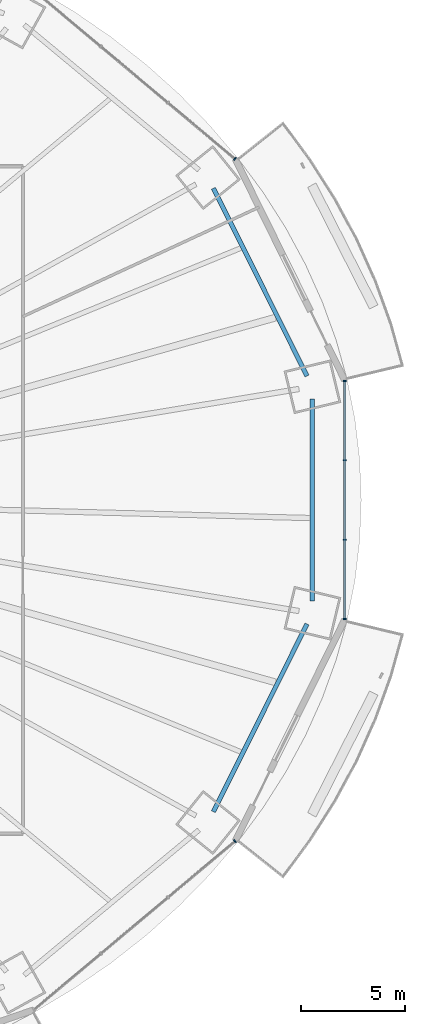
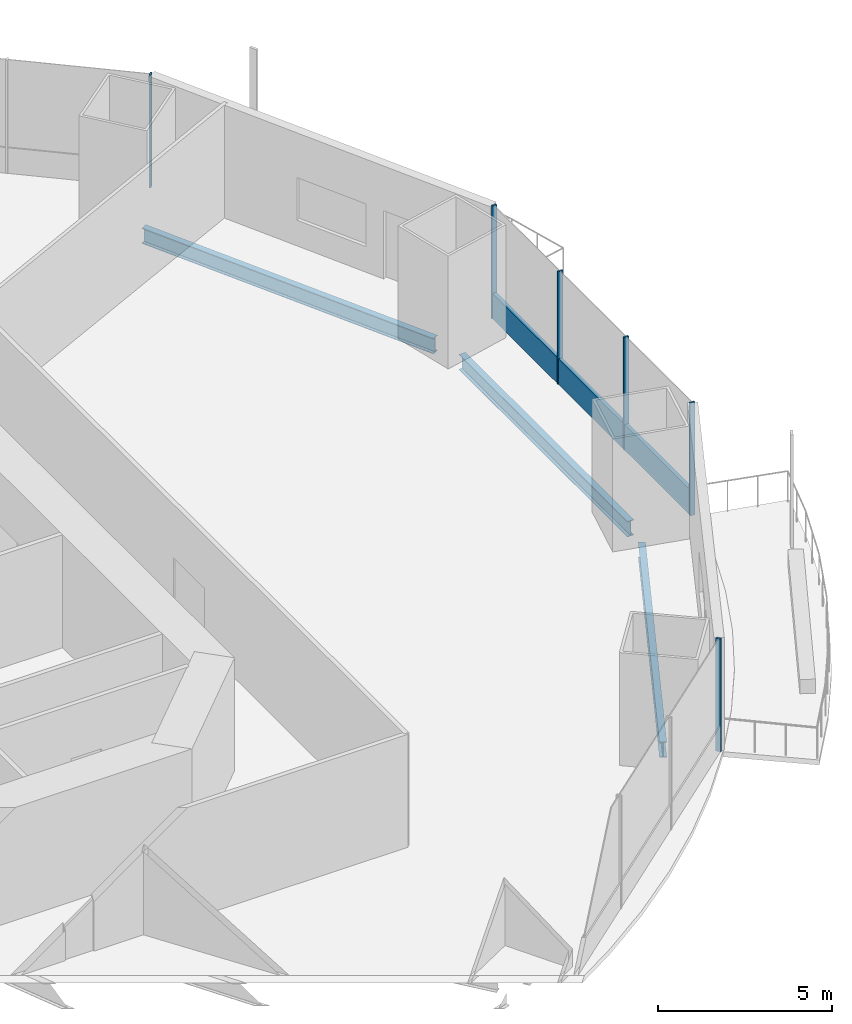
# One storey, part 11 of 22: 7 members, 3 beams, 3 elements without a shape of their own.
"""IFC4 building model written with IfcOpenShell, lengths in metres."""

from ifc_helpers import new_model, si_unit, direction, frame, origin, origin_2d, place, context, subcontext, project, spatial, rectangle, i_section, extrude, material, material_profile, profile_set, type_object, element, aggregate, save


model = new_model("IFC4")

# Units and contexts
model_context = context("Model", 3, precision=1e-05, world=origin(), true_north=direction((0.0, 1.0)))
body_context = subcontext(model_context, "Body", "Model", "MODEL_VIEW")
ifc_project = project(units=[si_unit("LENGTHUNIT", "METRE"), si_unit("AREAUNIT", "SQUARE_METRE"), si_unit("VOLUMEUNIT", "CUBIC_METRE"), si_unit("PLANEANGLEUNIT", "RADIAN"), si_unit("MASSUNIT", "GRAM", prefix="KILO")], contexts=[model_context])

# Site, building, storey
site_placement = place(None, origin())
site = spatial("IfcSite", under=ifc_project, at=site_placement, CompositionType="ELEMENT")
building_placement = place(site_placement, origin())
building = spatial("IfcBuilding", under=site, at=building_placement, Name="Marenthal Gate Tower", CompositionType="ELEMENT")
storey_placement = place(building_placement, frame((0.0, 0.0, 91.10009765625)))
storey = spatial("IfcBuildingStorey", under=building, at=storey_placement, Name="L18", CompositionType="ELEMENT", Elevation=91.10009765625)

# Curtain wall, member
ifc_material_1 = material(Name="Aluminium and glass", Category="aluminium")
curtain_wall_type = type_object("IfcCurtainWallType", Name="Curtain wall typical low", PredefinedType="NOTDEFINED", material=ifc_material_1)
curtain_wall_1_placement = place(storey_placement, origin())
curtain_wall_1 = element("IfcCurtainWall", 1, at=curtain_wall_1_placement, inside=storey, type_object=curtain_wall_type, Name="Curtain wall L18 bay 2", PredefinedType="NOTDEFINED")
ifc_material_2 = material(Name="Aluminium", Category="aluminium")
ifc_material_profile_1 = material_profile(ifc_material_2, rectangle(XDim=0.159912109375, YDim=0.06005859375, at=origin_2d()), Name="60x160 aluminium mullion")
ifc_profile_set_1 = profile_set([ifc_material_profile_1], Name="Aluminium")
member_type_1 = type_object("IfcMemberType", Name="Mullion 60x160 typical low", PredefinedType="MULLION", material=ifc_profile_set_1)
member_1_placement = place(storey_placement, frame((29.170654296875, 16.363037109375, 0.0), z_axis=(0.0, 0.0, 1.0), x_axis=(-0.642228281301, -0.766513427604, 0.0)))
member_1 = element("IfcMember", 2, at=member_1_placement, type_object=member_type_1, Name="Mullion L18 bay 2.1", PredefinedType="MULLION", context=body_context, shape_type="SweptSolid", body=[
    extrude(rectangle(XDim=0.159912109375, YDim=0.06005859375, at=origin_2d()), origin(), (0.0, 0.0, 1.0), 3.969970703125),
])
aggregate(curtain_wall_1, [member_1])

curtain_wall_2_placement = place(storey_placement, origin())
curtain_wall_2 = element("IfcCurtainWall", 3, at=curtain_wall_2_placement, inside=storey, type_object=curtain_wall_type, Name="Curtain wall L18 bay 14", PredefinedType="NOTDEFINED")
member_2_placement = place(storey_placement, frame((29.170654296875, -16.363037109375, 0.0), z_axis=(0.0, 0.0, 1.0), x_axis=(-0.642228281301, 0.766513427604, 0.0)))
member_2 = element("IfcMember", 4, at=member_2_placement, type_object=member_type_1, Name="Mullion L18 bay 14.4", PredefinedType="MULLION", context=body_context, shape_type="SweptSolid", body=[
    extrude(rectangle(XDim=0.159912109375, YDim=0.06005859375, at=origin_2d()), origin(), (0.0, 0.0, 1.0), 3.969970703125),
])
aggregate(curtain_wall_2, [member_2])

# Curtain wall, members
curtain_wall_3_placement = place(storey_placement, origin())
curtain_wall_3 = element("IfcCurtainWall", 5, at=curtain_wall_3_placement, inside=storey, type_object=curtain_wall_type, Name="Curtain wall L18 bay 16", PredefinedType="NOTDEFINED")
member_3_placement = place(storey_placement, frame((34.436279296875, -5.709228515625, 0.0), z_axis=(0.0, 0.0, 1.0), x_axis=(-1.0, 0.0, 0.0)))
member_3 = element("IfcMember", 6, at=member_3_placement, type_object=member_type_1, Name="Mullion L18 bay 16.1", PredefinedType="MULLION", context=body_context, shape_type="SweptSolid", body=[
    extrude(rectangle(XDim=0.159912109375, YDim=0.06005859375, at=origin_2d()), origin(), (0.0, 0.0, 1.0), 3.969970703125),
])
member_4_placement = place(storey_placement, frame((34.436279296875, -1.903076171875, 0.0), z_axis=(0.0, 0.0, 1.0), x_axis=(-1.0, 0.0, 0.0)))
member_4 = element("IfcMember", 7, at=member_4_placement, type_object=member_type_1, Name="Mullion L18 bay 16.2", PredefinedType="MULLION", context=body_context, shape_type="SweptSolid", body=[
    extrude(rectangle(XDim=0.159912109375, YDim=0.06005859375, at=origin_2d()), origin(), (0.0, 0.0, 1.0), 3.969970703125),
])
member_5_placement = place(storey_placement, frame((34.436279296875, 1.903076171875, 0.0), z_axis=(0.0, 0.0, 1.0), x_axis=(-1.0, 0.0, 0.0)))
member_5 = element("IfcMember", 8, at=member_5_placement, type_object=member_type_1, Name="Mullion L18 bay 16.3", PredefinedType="MULLION", context=body_context, shape_type="SweptSolid", body=[
    extrude(rectangle(XDim=0.159912109375, YDim=0.06005859375, at=origin_2d()), origin(), (0.0, 0.0, 1.0), 3.969970703125),
])
member_6_placement = place(storey_placement, frame((34.436279296875, 5.709228515625, 0.0), z_axis=(0.0, 0.0, 1.0), x_axis=(-1.0, 0.0, 0.0)))
member_6 = element("IfcMember", 9, at=member_6_placement, type_object=member_type_1, Name="Mullion L18 bay 16.4", PredefinedType="MULLION", context=body_context, shape_type="SweptSolid", body=[
    extrude(rectangle(XDim=0.159912109375, YDim=0.06005859375, at=origin_2d()), origin(), (0.0, 0.0, 1.0), 3.969970703125),
])
ifc_material_3 = material(Name="Aluminium", Category="aluminium")
ifc_material_profile_2 = material_profile(ifc_material_3, rectangle(XDim=0.1201171875, YDim=0.89990234375, at=origin_2d()), Name="120x900 aluminium transom")
ifc_profile_set_2 = profile_set([ifc_material_profile_2], Name="Aluminium")
member_type_2 = type_object("IfcMemberType", Name="Transom 120x900 typical low", PredefinedType="USERDEFINED", material=ifc_profile_set_2)
member_7_placement = place(storey_placement, frame((34.436279296875, -5.67919921875, 0.449951171875), z_axis=(0.0, 1.0, 0.0), x_axis=(-1.0, 0.0, 0.0)))
member_7 = element("IfcMember", 10, at=member_7_placement, type_object=member_type_2, Name="Transom L18 bay 16", ObjectType="TRANSOM", PredefinedType="USERDEFINED", context=body_context, shape_type="SweptSolid", body=[
    extrude(rectangle(XDim=0.1201171875, YDim=0.89990234375, at=origin_2d()), origin(), (0.0, 0.0, 1.0), 11.3583984375),
])
aggregate(curtain_wall_3, [member_3, member_4, member_5, member_6, member_7])

# Beams
ifc_material_4 = material(Name="Steel S355", Category="steel")
ifc_material_profile_3 = material_profile(ifc_material_4, i_section(OverallWidth=0.2119140625, OverallDepth=0.5439453125, WebThickness=0.01318359375, FlangeThickness=0.021240234375, FilletRadius=0.0126953125, at=origin_2d()), Name="W530X123")
ifc_profile_set_3 = profile_set([ifc_material_profile_3], Name="Steel S355")
beam_type = type_object("IfcBeamType", Name="W530X123 beam", PredefinedType="BEAM", material=ifc_profile_set_3)
for number, where, z_axis, x_axis, name in (
    (11, (32.628662109375, 5.947998046875, -0.4521484375), (-0.446427279823, 0.894819916983, 0.0), (-0.894819916983, -0.446427279823, 0.0), "BM-L18-41"),
    (12, (28.13671875, -14.95166015625, -0.4521484375), (0.446427279823, 0.894819916983, 0.0), (-0.894819916983, 0.446427279823, 0.0), "BM-L18-55"),
):
    element("IfcBeam", number, at=place(storey_placement, frame(where, z_axis=z_axis, x_axis=x_axis)), inside=storey, type_object=beam_type, Name=name, PredefinedType="BEAM", context=body_context, shape_type="SweptSolid", body=[
        extrude(i_section(OverallWidth=0.2119140625, OverallDepth=0.5439453125, WebThickness=0.01318359375, FlangeThickness=0.021240234375, FilletRadius=0.0126953125, at=origin_2d()), origin(), (0.0, 0.0, 1.0), 10.06201171875),
    ])
beam_placement = place(storey_placement, frame((32.88671875, -4.851318359375, -0.4521484375), z_axis=(0.0, 1.0, 0.0), x_axis=(-1.0, 0.0, 0.0)))
element("IfcBeam", 13, at=beam_placement, inside=storey, type_object=beam_type, Name="BM-L18-56", PredefinedType="BEAM", context=body_context, shape_type="SweptSolid", body=[
    extrude(i_section(OverallWidth=0.2119140625, OverallDepth=0.5439453125, WebThickness=0.01318359375, FlangeThickness=0.021240234375, FilletRadius=0.0126953125, at=origin_2d()), origin(), (0.0, 0.0, 1.0), 9.70263671875),
])

save(model, "model.ifc")
